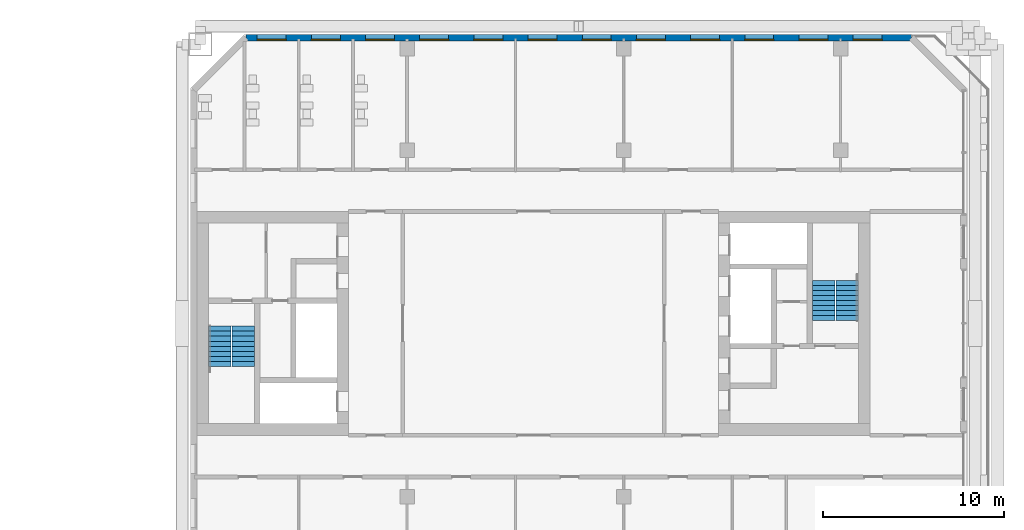
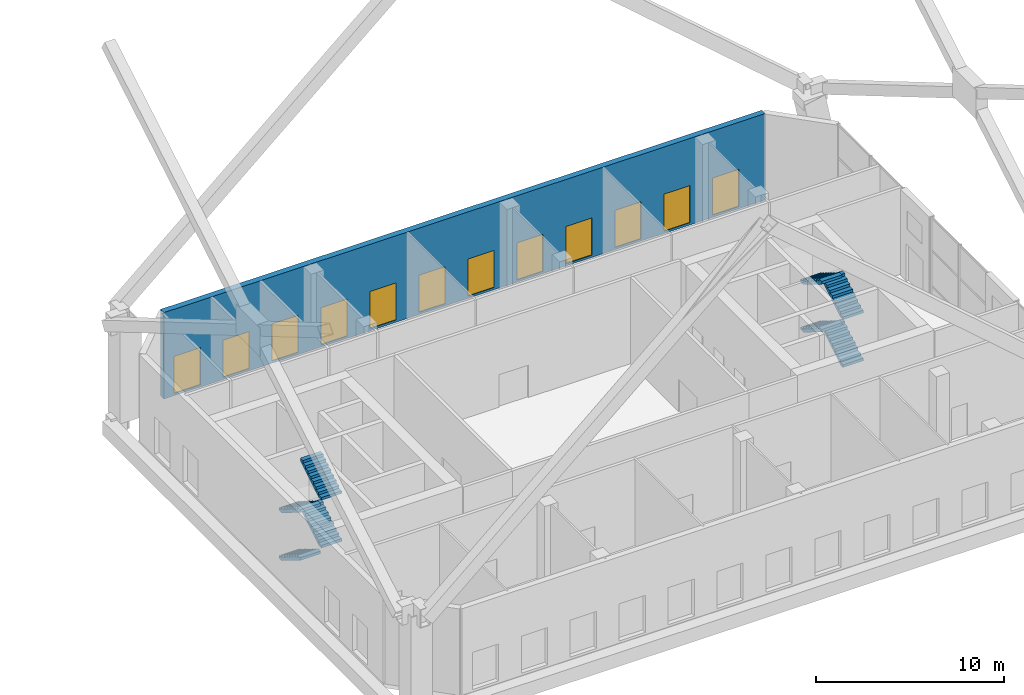
# One storey, part 16 of 20: 12 windows, 8 stair flights, 1 wall, 12 openings, 2 elements without a shape of their own.
"""IFC4 building model written with IfcOpenShell, lengths in metres."""

from ifc_helpers import new_model, si_unit, direction, frame, frame_2d, origin, place, context, subcontext, project, spatial, polyline, rectangle, outline, extrude, material, layer, layer_set, type_object, element, fill, aggregate, save


model = new_model("IFC4")

# Units and contexts
model_context = context("Model", 3, precision=1e-05, world=origin(), true_north=direction((0.0, 1.0)))
body_context = subcontext(model_context, "Body", "Model", "MODEL_VIEW")
ifc_project = project(units=[si_unit("LENGTHUNIT", "METRE"), si_unit("AREAUNIT", "SQUARE_METRE"), si_unit("VOLUMEUNIT", "CUBIC_METRE"), si_unit("PLANEANGLEUNIT", "RADIAN"), si_unit("MASSUNIT", "GRAM", prefix="KILO")], contexts=[model_context])

# Site, building, storey
site_placement = place(None, origin())
site = spatial("IfcSite", under=ifc_project, at=site_placement, CompositionType="ELEMENT")
building_placement = place(site_placement, origin())
building = spatial("IfcBuilding", under=site, at=building_placement, Name="Tuart Gate Housing", CompositionType="ELEMENT")
storey_placement = place(building_placement, frame((0.0, 0.0, 90.199951171875)))
storey = spatial("IfcBuildingStorey", under=building, at=storey_placement, Name="L25", CompositionType="ELEMENT", Elevation=90.199951171875)

# Wall, openings, windows
ifc_material_1 = material(Name="Brick", Category="masonry")
ifc_layer = layer(ifc_material_1, 0.360107421875)
ifc_layer_set = layer_set([ifc_layer], Name="Brick pier and spandrel wall 360")
wall_type = type_object("IfcWallType", Name="Brick pier and spandrel wall 360", PredefinedType="STANDARD", material=ifc_layer_set)
wall_placement = place(storey_placement, frame((170.92529296875, 85.820068359375, 0.0), z_axis=(0.0, 0.0, 1.0), x_axis=(-1.0, 0.0, 0.0)))
wall = element("IfcWall", 1, at=wall_placement, inside=storey, type_object=wall_type, Name="External wall B-N L25", PredefinedType="STANDARD", context=body_context, shape_type="SweptSolid", body=[
    extrude(rectangle(XDim=36.850830078125, YDim=0.360107421875, at=frame_2d((18.42529296875, 0.0))), origin(), (0.0, 0.0, 1.0), 5.60009765625),
])
opening_1_placement = place(wall_placement, frame((1.62548828125, 0.0, 0.14990234375)))
opening_1 = element("IfcOpeningElement", 2, at=opening_1_placement, cuts=wall, Name="Opening W2", PredefinedType="OPENING", context=body_context, shape_type="SweptSolid", body=[
    extrude(rectangle(XDim=1.60009765625, YDim=2.39990234375, at=frame_2d((0.800048828125, 1.199951171875))), frame((0.0, 0.18994140625, 0.0), z_axis=(0.0, -1.0, 0.0), x_axis=(1.0, 0.0, 0.0)), (0.0, 0.0, 1.0), 0.380126953125),
])
opening_2_placement = place(wall_placement, frame((4.62548828125, 0.0, 0.14990234375)))
opening_2 = element("IfcOpeningElement", 3, at=opening_2_placement, cuts=wall, Name="Opening W2", PredefinedType="OPENING", context=body_context, shape_type="SweptSolid", body=[
    extrude(rectangle(XDim=1.60009765625, YDim=2.39990234375, at=frame_2d((0.800048828125, 1.199951171875))), frame((0.0, 0.18994140625, 0.0), z_axis=(0.0, -1.0, 0.0), x_axis=(1.0, 0.0, 0.0)), (0.0, 0.0, 1.0), 0.380126953125),
])
opening_3_placement = place(wall_placement, frame((7.62548828125, 0.0, 0.14990234375)))
opening_3 = element("IfcOpeningElement", 4, at=opening_3_placement, cuts=wall, Name="Opening W2", PredefinedType="OPENING", context=body_context, shape_type="SweptSolid", body=[
    extrude(rectangle(XDim=1.60009765625, YDim=2.39990234375, at=frame_2d((0.800048828125, 1.199951171875))), frame((0.0, 0.18994140625, 0.0), z_axis=(0.0, -1.0, 0.0), x_axis=(1.0, 0.0, 0.0)), (0.0, 0.0, 1.0), 0.380126953125),
])
opening_4_placement = place(wall_placement, frame((10.62548828125, 0.0, 0.14990234375)))
opening_4 = element("IfcOpeningElement", 5, at=opening_4_placement, cuts=wall, Name="Opening W2", PredefinedType="OPENING", context=body_context, shape_type="SweptSolid", body=[
    extrude(rectangle(XDim=1.60009765625, YDim=2.39990234375, at=frame_2d((0.800048828125, 1.199951171875))), frame((0.0, 0.18994140625, 0.0), z_axis=(0.0, -1.0, 0.0), x_axis=(1.0, 0.0, 0.0)), (0.0, 0.0, 1.0), 0.380126953125),
])
opening_5_placement = place(wall_placement, frame((13.62548828125, 0.0, 0.14990234375)))
opening_5 = element("IfcOpeningElement", 6, at=opening_5_placement, cuts=wall, Name="Opening W2", PredefinedType="OPENING", context=body_context, shape_type="SweptSolid", body=[
    extrude(rectangle(XDim=1.60009765625, YDim=2.39990234375, at=frame_2d((0.800048828125, 1.199951171875))), frame((0.0, 0.18994140625, 0.0), z_axis=(0.0, -1.0, 0.0), x_axis=(1.0, 0.0, 0.0)), (0.0, 0.0, 1.0), 0.380126953125),
])
opening_6_placement = place(wall_placement, frame((16.62548828125, 0.0, 0.14990234375)))
opening_6 = element("IfcOpeningElement", 7, at=opening_6_placement, cuts=wall, Name="Opening W2", PredefinedType="OPENING", context=body_context, shape_type="SweptSolid", body=[
    extrude(rectangle(XDim=1.60009765625, YDim=2.39990234375, at=frame_2d((0.800048828125, 1.199951171875))), frame((0.0, 0.18994140625, 0.0), z_axis=(0.0, -1.0, 0.0), x_axis=(1.0, 0.0, 0.0)), (0.0, 0.0, 1.0), 0.380126953125),
])
opening_7_placement = place(wall_placement, frame((19.62548828125, 0.0, 0.14990234375)))
opening_7 = element("IfcOpeningElement", 8, at=opening_7_placement, cuts=wall, Name="Opening W2", PredefinedType="OPENING", context=body_context, shape_type="SweptSolid", body=[
    extrude(rectangle(XDim=1.60009765625, YDim=2.39990234375, at=frame_2d((0.800048828125, 1.199951171875))), frame((0.0, 0.18994140625, 0.0), z_axis=(0.0, -1.0, 0.0), x_axis=(1.0, 0.0, 0.0)), (0.0, 0.0, 1.0), 0.380126953125),
])
opening_8_placement = place(wall_placement, frame((22.62548828125, 0.0, 0.14990234375)))
opening_8 = element("IfcOpeningElement", 9, at=opening_8_placement, cuts=wall, Name="Opening W2", PredefinedType="OPENING", context=body_context, shape_type="SweptSolid", body=[
    extrude(rectangle(XDim=1.60009765625, YDim=2.39990234375, at=frame_2d((0.800048828125, 1.199951171875))), frame((0.0, 0.18994140625, 0.0), z_axis=(0.0, -1.0, 0.0), x_axis=(1.0, 0.0, 0.0)), (0.0, 0.0, 1.0), 0.380126953125),
])
opening_9_placement = place(wall_placement, frame((25.62548828125, 0.0, 0.14990234375)))
opening_9 = element("IfcOpeningElement", 10, at=opening_9_placement, cuts=wall, Name="Opening W2", PredefinedType="OPENING", context=body_context, shape_type="SweptSolid", body=[
    extrude(rectangle(XDim=1.60009765625, YDim=2.39990234375, at=frame_2d((0.800048828125, 1.199951171875))), frame((0.0, 0.18994140625, 0.0), z_axis=(0.0, -1.0, 0.0), x_axis=(1.0, 0.0, 0.0)), (0.0, 0.0, 1.0), 0.380126953125),
])
opening_10_placement = place(wall_placement, frame((28.62548828125, 0.0, 0.14990234375)))
opening_10 = element("IfcOpeningElement", 11, at=opening_10_placement, cuts=wall, Name="Opening W2", PredefinedType="OPENING", context=body_context, shape_type="SweptSolid", body=[
    extrude(rectangle(XDim=1.60009765625, YDim=2.39990234375, at=frame_2d((0.800048828125, 1.199951171875))), frame((0.0, 0.18994140625, 0.0), z_axis=(0.0, -1.0, 0.0), x_axis=(1.0, 0.0, 0.0)), (0.0, 0.0, 1.0), 0.380126953125),
])
opening_11_placement = place(wall_placement, frame((31.62548828125, 0.0, 0.14990234375)))
opening_11 = element("IfcOpeningElement", 12, at=opening_11_placement, cuts=wall, Name="Opening W2", PredefinedType="OPENING", context=body_context, shape_type="SweptSolid", body=[
    extrude(rectangle(XDim=1.60009765625, YDim=2.39990234375, at=frame_2d((0.800048828125, 1.199951171875))), frame((0.0, 0.18994140625, 0.0), z_axis=(0.0, -1.0, 0.0), x_axis=(1.0, 0.0, 0.0)), (0.0, 0.0, 1.0), 0.380126953125),
])
opening_12_placement = place(wall_placement, frame((34.62548828125, 0.0, 0.14990234375)))
opening_12 = element("IfcOpeningElement", 13, at=opening_12_placement, cuts=wall, Name="Opening W2", PredefinedType="OPENING", context=body_context, shape_type="SweptSolid", body=[
    extrude(rectangle(XDim=1.60009765625, YDim=2.39990234375, at=frame_2d((0.800048828125, 1.199951171875))), frame((0.0, 0.18994140625, 0.0), z_axis=(0.0, -1.0, 0.0), x_axis=(1.0, 0.0, 0.0)), (0.0, 0.0, 1.0), 0.380126953125),
])
ifc_material_2 = material(Name="Aluminium frame with clear glass", Category="aluminium")
window_type = type_object("IfcWindowType", Name="Garden lounge window 1600 x 2400", PartitioningType="SINGLE_PANEL", PredefinedType="WINDOW", material=ifc_material_2)
window_1_placement = place(opening_1_placement, origin())
window_1 = element("IfcWindow", 14, at=window_1_placement, inside=storey, type_object=window_type, Name="Window W2", OverallHeight=2.39990234375, OverallWidth=1.60009765625, PartitioningType="SINGLE_PANEL", PredefinedType="WINDOW", context=body_context, shape_type="SweptSolid", body=[
    extrude(rectangle(XDim=1.60009765625, YDim=2.39990234375, at=frame_2d((0.800048828125, 1.199951171875))), frame((0.0, 0.150146484375, 0.0), z_axis=(0.0, -1.0, 0.0), x_axis=(1.0, 0.0, 0.0)), (0.0, 0.0, 1.0), 0.06005859375),
])
fill(opening_1, window_1)
window_2_placement = place(opening_2_placement, origin())
window_2 = element("IfcWindow", 15, at=window_2_placement, inside=storey, type_object=window_type, Name="Window W2", OverallHeight=2.39990234375, OverallWidth=1.60009765625, PartitioningType="SINGLE_PANEL", PredefinedType="WINDOW", context=body_context, shape_type="SweptSolid", body=[
    extrude(rectangle(XDim=1.60009765625, YDim=2.39990234375, at=frame_2d((0.800048828125, 1.199951171875))), frame((0.0, 0.150146484375, 0.0), z_axis=(0.0, -1.0, 0.0), x_axis=(1.0, 0.0, 0.0)), (0.0, 0.0, 1.0), 0.06005859375),
])
fill(opening_2, window_2)
window_3_placement = place(opening_3_placement, origin())
window_3 = element("IfcWindow", 16, at=window_3_placement, inside=storey, type_object=window_type, Name="Window W2", OverallHeight=2.39990234375, OverallWidth=1.60009765625, PartitioningType="SINGLE_PANEL", PredefinedType="WINDOW", context=body_context, shape_type="SweptSolid", body=[
    extrude(rectangle(XDim=1.60009765625, YDim=2.39990234375, at=frame_2d((0.800048828125, 1.199951171875))), frame((0.0, 0.150146484375, 0.0), z_axis=(0.0, -1.0, 0.0), x_axis=(1.0, 0.0, 0.0)), (0.0, 0.0, 1.0), 0.06005859375),
])
fill(opening_3, window_3)
window_4_placement = place(opening_4_placement, origin())
window_4 = element("IfcWindow", 17, at=window_4_placement, inside=storey, type_object=window_type, Name="Window W2", OverallHeight=2.39990234375, OverallWidth=1.60009765625, PartitioningType="SINGLE_PANEL", PredefinedType="WINDOW", context=body_context, shape_type="SweptSolid", body=[
    extrude(rectangle(XDim=1.60009765625, YDim=2.39990234375, at=frame_2d((0.800048828125, 1.199951171875))), frame((0.0, 0.150146484375, 0.0), z_axis=(0.0, -1.0, 0.0), x_axis=(1.0, 0.0, 0.0)), (0.0, 0.0, 1.0), 0.06005859375),
])
fill(opening_4, window_4)
window_5_placement = place(opening_5_placement, origin())
window_5 = element("IfcWindow", 18, at=window_5_placement, inside=storey, type_object=window_type, Name="Window W2", OverallHeight=2.39990234375, OverallWidth=1.60009765625, PartitioningType="SINGLE_PANEL", PredefinedType="WINDOW", context=body_context, shape_type="SweptSolid", body=[
    extrude(rectangle(XDim=1.60009765625, YDim=2.39990234375, at=frame_2d((0.800048828125, 1.199951171875))), frame((0.0, 0.150146484375, 0.0), z_axis=(0.0, -1.0, 0.0), x_axis=(1.0, 0.0, 0.0)), (0.0, 0.0, 1.0), 0.06005859375),
])
fill(opening_5, window_5)
window_6_placement = place(opening_6_placement, origin())
window_6 = element("IfcWindow", 19, at=window_6_placement, inside=storey, type_object=window_type, Name="Window W2", OverallHeight=2.39990234375, OverallWidth=1.60009765625, PartitioningType="SINGLE_PANEL", PredefinedType="WINDOW", context=body_context, shape_type="SweptSolid", body=[
    extrude(rectangle(XDim=1.60009765625, YDim=2.39990234375, at=frame_2d((0.800048828125, 1.199951171875))), frame((0.0, 0.150146484375, 0.0), z_axis=(0.0, -1.0, 0.0), x_axis=(1.0, 0.0, 0.0)), (0.0, 0.0, 1.0), 0.06005859375),
])
fill(opening_6, window_6)
window_7_placement = place(opening_7_placement, origin())
window_7 = element("IfcWindow", 20, at=window_7_placement, inside=storey, type_object=window_type, Name="Window W2", OverallHeight=2.39990234375, OverallWidth=1.60009765625, PartitioningType="SINGLE_PANEL", PredefinedType="WINDOW", context=body_context, shape_type="SweptSolid", body=[
    extrude(rectangle(XDim=1.60009765625, YDim=2.39990234375, at=frame_2d((0.800048828125, 1.199951171875))), frame((0.0, 0.150146484375, 0.0), z_axis=(0.0, -1.0, 0.0), x_axis=(1.0, 0.0, 0.0)), (0.0, 0.0, 1.0), 0.06005859375),
])
fill(opening_7, window_7)
window_8_placement = place(opening_8_placement, origin())
window_8 = element("IfcWindow", 21, at=window_8_placement, inside=storey, type_object=window_type, Name="Window W2", OverallHeight=2.39990234375, OverallWidth=1.60009765625, PartitioningType="SINGLE_PANEL", PredefinedType="WINDOW", context=body_context, shape_type="SweptSolid", body=[
    extrude(rectangle(XDim=1.60009765625, YDim=2.39990234375, at=frame_2d((0.800048828125, 1.199951171875))), frame((0.0, 0.150146484375, 0.0), z_axis=(0.0, -1.0, 0.0), x_axis=(1.0, 0.0, 0.0)), (0.0, 0.0, 1.0), 0.06005859375),
])
fill(opening_8, window_8)
window_9_placement = place(opening_9_placement, origin())
window_9 = element("IfcWindow", 22, at=window_9_placement, inside=storey, type_object=window_type, Name="Window W2", OverallHeight=2.39990234375, OverallWidth=1.60009765625, PartitioningType="SINGLE_PANEL", PredefinedType="WINDOW", context=body_context, shape_type="SweptSolid", body=[
    extrude(rectangle(XDim=1.60009765625, YDim=2.39990234375, at=frame_2d((0.800048828125, 1.199951171875))), frame((0.0, 0.150146484375, 0.0), z_axis=(0.0, -1.0, 0.0), x_axis=(1.0, 0.0, 0.0)), (0.0, 0.0, 1.0), 0.06005859375),
])
fill(opening_9, window_9)
window_10_placement = place(opening_10_placement, origin())
window_10 = element("IfcWindow", 23, at=window_10_placement, inside=storey, type_object=window_type, Name="Window W2", OverallHeight=2.39990234375, OverallWidth=1.60009765625, PartitioningType="SINGLE_PANEL", PredefinedType="WINDOW", context=body_context, shape_type="SweptSolid", body=[
    extrude(rectangle(XDim=1.60009765625, YDim=2.39990234375, at=frame_2d((0.800048828125, 1.199951171875))), frame((0.0, 0.150146484375, 0.0), z_axis=(0.0, -1.0, 0.0), x_axis=(1.0, 0.0, 0.0)), (0.0, 0.0, 1.0), 0.06005859375),
])
fill(opening_10, window_10)
window_11_placement = place(opening_11_placement, origin())
window_11 = element("IfcWindow", 24, at=window_11_placement, inside=storey, type_object=window_type, Name="Window W2", OverallHeight=2.39990234375, OverallWidth=1.60009765625, PartitioningType="SINGLE_PANEL", PredefinedType="WINDOW", context=body_context, shape_type="SweptSolid", body=[
    extrude(rectangle(XDim=1.60009765625, YDim=2.39990234375, at=frame_2d((0.800048828125, 1.199951171875))), frame((0.0, 0.150146484375, 0.0), z_axis=(0.0, -1.0, 0.0), x_axis=(1.0, 0.0, 0.0)), (0.0, 0.0, 1.0), 0.06005859375),
])
fill(opening_11, window_11)
window_12_placement = place(opening_12_placement, origin())
window_12 = element("IfcWindow", 25, at=window_12_placement, inside=storey, type_object=window_type, Name="Window W2", OverallHeight=2.39990234375, OverallWidth=1.60009765625, PartitioningType="SINGLE_PANEL", PredefinedType="WINDOW", context=body_context, shape_type="SweptSolid", body=[
    extrude(rectangle(XDim=1.60009765625, YDim=2.39990234375, at=frame_2d((0.800048828125, 1.199951171875))), frame((0.0, 0.150146484375, 0.0), z_axis=(0.0, -1.0, 0.0), x_axis=(1.0, 0.0, 0.0)), (0.0, 0.0, 1.0), 0.06005859375),
])
fill(opening_12, window_12)

# Stair, stair flights
ifc_material_3 = material(Name="Concrete C40", Category="concrete")
stair_type = type_object("IfcStairType", Name="Core stair 1250", PredefinedType="HALF_TURN_STAIR", material=ifc_material_3)
stair_1_placement = place(storey_placement, origin())
stair_1 = element("IfcStair", 26, at=stair_1_placement, inside=storey, type_object=stair_type, Name="Stair SB1", PredefinedType="HALF_TURN_STAIR")
ifc_material_4 = material(Name="Concrete C40", Category="concrete")
stair_flight_type = type_object("IfcStairFlightType", Name="Stair flight 1250, 9 risers 172 x 280", PredefinedType="STRAIGHT", material=ifc_material_4)
stair_flight_1_placement = place(storey_placement, frame((132.635009765625, 69.85009765625, 0.0), z_axis=(0.0, 0.0, 1.0), x_axis=(0.0, -1.0, 0.0)))
stair_flight_1 = element("IfcStairFlight", 27, at=stair_flight_1_placement, type_object=stair_flight_type, Name="SB1 flight 1", NumberOfRisers=9, NumberOfTreads=8, PredefinedType="STRAIGHT", RiserHeight=0.172222222, TreadLength=0.28, context=body_context, shape_type="SweptSolid", body=[
    extrude(outline(polyline([(0.0, 0.0), (0.0, 0.172119140625), (0.280029296875, 0.172119140625), (0.280029296875, 0.344482421875), (0.56005859375, 0.344482421875), (0.56005859375, 0.5166015625), (0.840087890625, 0.5166015625), (0.840087890625, 0.68896484375), (1.1201171875, 0.68896484375), (1.1201171875, 0.861083984375), (1.39990234375, 0.861083984375), (1.39990234375, 1.033447265625), (1.679931640625, 1.033447265625), (1.679931640625, 1.20556640625), (1.9599609375, 1.20556640625), (1.9599609375, 1.377685546875), (2.239990234375, 1.377685546875), (2.239990234375, 1.550048828125), (2.239990234375, 1.201904296875), (0.2861328125, 0.0), (0.0, 0.0)])), frame((0.0, 0.625, 0.0), z_axis=(0.0, -1.0, 0.0), x_axis=(1.0, 0.0, 0.0)), (0.0, 0.0, 1.0), 1.25),
])
stair_flight_2_placement = place(storey_placement, frame((133.93505859375, 67.610107421875, 1.550048828125), z_axis=(0.0, 0.0, 1.0), x_axis=(0.0, 1.0, 0.0)))
stair_flight_2 = element("IfcStairFlight", 28, at=stair_flight_2_placement, type_object=stair_flight_type, Name="SB1 flight 2", NumberOfRisers=9, NumberOfTreads=8, PredefinedType="STRAIGHT", RiserHeight=0.172222222, TreadLength=0.28, context=body_context, shape_type="SweptSolid", body=[
    extrude(outline(polyline([(0.0, 0.0), (0.0, 0.172119140625), (0.280029296875, 0.172119140625), (0.280029296875, 0.344482421875), (0.56005859375, 0.344482421875), (0.56005859375, 0.5166015625), (0.840087890625, 0.5166015625), (0.840087890625, 0.68896484375), (1.1201171875, 0.68896484375), (1.1201171875, 0.861083984375), (1.39990234375, 0.861083984375), (1.39990234375, 1.033447265625), (1.679931640625, 1.033447265625), (1.679931640625, 1.20556640625), (1.9599609375, 1.20556640625), (1.9599609375, 1.377685546875), (2.239990234375, 1.377685546875), (2.239990234375, 1.550048828125), (2.239990234375, 1.201904296875), (0.2861328125, 0.0), (0.0, 0.0)])), frame((0.0, 0.625, 0.0), z_axis=(0.0, -1.0, 0.0), x_axis=(1.0, 0.0, 0.0)), (0.0, 0.0, 1.0), 1.25),
])
stair_flight_3_placement = place(storey_placement, frame((132.635009765625, 69.85009765625, 3.10009765625), z_axis=(0.0, 0.0, 1.0), x_axis=(0.0, -1.0, 0.0)))
stair_flight_3 = element("IfcStairFlight", 29, at=stair_flight_3_placement, type_object=stair_flight_type, Name="SB1 flight 3", NumberOfRisers=9, NumberOfTreads=8, PredefinedType="STRAIGHT", RiserHeight=0.172222222, TreadLength=0.28, context=body_context, shape_type="SweptSolid", body=[
    extrude(outline(polyline([(0.0, 0.0), (0.0, 0.172119140625), (0.280029296875, 0.172119140625), (0.280029296875, 0.344482421875), (0.56005859375, 0.344482421875), (0.56005859375, 0.5166015625), (0.840087890625, 0.5166015625), (0.840087890625, 0.68896484375), (1.1201171875, 0.68896484375), (1.1201171875, 0.861083984375), (1.39990234375, 0.861083984375), (1.39990234375, 1.033447265625), (1.679931640625, 1.033447265625), (1.679931640625, 1.20556640625), (1.9599609375, 1.20556640625), (1.9599609375, 1.377685546875), (2.239990234375, 1.377685546875), (2.239990234375, 1.550048828125), (2.239990234375, 1.201904296875), (0.2861328125, 0.0), (0.0, 0.0)])), frame((0.0, 0.625, 0.0), z_axis=(0.0, -1.0, 0.0), x_axis=(1.0, 0.0, 0.0)), (0.0, 0.0, 1.0), 1.25),
])
stair_flight_4_placement = place(storey_placement, frame((133.93505859375, 67.610107421875, 4.650146484375), z_axis=(0.0, 0.0, 1.0), x_axis=(0.0, 1.0, 0.0)))
stair_flight_4 = element("IfcStairFlight", 30, at=stair_flight_4_placement, type_object=stair_flight_type, Name="SB1 flight 4", NumberOfRisers=9, NumberOfTreads=8, PredefinedType="STRAIGHT", RiserHeight=0.172222222, TreadLength=0.28, context=body_context, shape_type="SweptSolid", body=[
    extrude(outline(polyline([(0.0, 0.0), (0.0, 0.172119140625), (0.280029296875, 0.172119140625), (0.280029296875, 0.344482421875), (0.56005859375, 0.344482421875), (0.56005859375, 0.5166015625), (0.840087890625, 0.5166015625), (0.840087890625, 0.68896484375), (1.1201171875, 0.68896484375), (1.1201171875, 0.861083984375), (1.39990234375, 0.861083984375), (1.39990234375, 1.033447265625), (1.679931640625, 1.033447265625), (1.679931640625, 1.20556640625), (1.9599609375, 1.20556640625), (1.9599609375, 1.377685546875), (2.239990234375, 1.377685546875), (2.239990234375, 1.550048828125), (2.239990234375, 1.201904296875), (0.2861328125, 0.0), (0.0, 0.0)])), frame((0.0, 0.625, 0.0), z_axis=(0.0, -1.0, 0.0), x_axis=(1.0, 0.0, 0.0)), (0.0, 0.0, 1.0), 1.25),
])
aggregate(stair_1, [stair_flight_1, stair_flight_2, stair_flight_3, stair_flight_4])

stair_2_placement = place(storey_placement, origin())
stair_2 = element("IfcStair", 31, at=stair_2_placement, inside=storey, type_object=stair_type, Name="Stair SB2", PredefinedType="HALF_TURN_STAIR")
stair_flight_5_placement = place(storey_placement, frame((167.364990234375, 70.14990234375, 0.0), z_axis=(0.0, 0.0, 1.0), x_axis=(0.0, 1.0, 0.0)))
stair_flight_5 = element("IfcStairFlight", 32, at=stair_flight_5_placement, type_object=stair_flight_type, Name="SB2 flight 1", NumberOfRisers=9, NumberOfTreads=8, PredefinedType="STRAIGHT", RiserHeight=0.172222222, TreadLength=0.28, context=body_context, shape_type="SweptSolid", body=[
    extrude(outline(polyline([(0.0, 0.0), (0.0, 0.172119140625), (0.280029296875, 0.172119140625), (0.280029296875, 0.344482421875), (0.56005859375, 0.344482421875), (0.56005859375, 0.5166015625), (0.840087890625, 0.5166015625), (0.840087890625, 0.68896484375), (1.1201171875, 0.68896484375), (1.1201171875, 0.861083984375), (1.39990234375, 0.861083984375), (1.39990234375, 1.033447265625), (1.679931640625, 1.033447265625), (1.679931640625, 1.20556640625), (1.9599609375, 1.20556640625), (1.9599609375, 1.377685546875), (2.239990234375, 1.377685546875), (2.239990234375, 1.550048828125), (2.239990234375, 1.201904296875), (0.2861328125, 0.0), (0.0, 0.0)])), frame((0.0, 0.625, 0.0), z_axis=(0.0, -1.0, 0.0), x_axis=(1.0, 0.0, 0.0)), (0.0, 0.0, 1.0), 1.25),
])
stair_flight_6_placement = place(storey_placement, frame((166.06494140625, 72.389892578125, 1.550048828125), z_axis=(0.0, 0.0, 1.0), x_axis=(0.0, -1.0, 0.0)))
stair_flight_6 = element("IfcStairFlight", 33, at=stair_flight_6_placement, type_object=stair_flight_type, Name="SB2 flight 2", NumberOfRisers=9, NumberOfTreads=8, PredefinedType="STRAIGHT", RiserHeight=0.172222222, TreadLength=0.28, context=body_context, shape_type="SweptSolid", body=[
    extrude(outline(polyline([(0.0, 0.0), (0.0, 0.172119140625), (0.280029296875, 0.172119140625), (0.280029296875, 0.344482421875), (0.56005859375, 0.344482421875), (0.56005859375, 0.5166015625), (0.840087890625, 0.5166015625), (0.840087890625, 0.68896484375), (1.1201171875, 0.68896484375), (1.1201171875, 0.861083984375), (1.39990234375, 0.861083984375), (1.39990234375, 1.033447265625), (1.679931640625, 1.033447265625), (1.679931640625, 1.20556640625), (1.9599609375, 1.20556640625), (1.9599609375, 1.377685546875), (2.239990234375, 1.377685546875), (2.239990234375, 1.550048828125), (2.239990234375, 1.201904296875), (0.2861328125, 0.0), (0.0, 0.0)])), frame((0.0, 0.625, 0.0), z_axis=(0.0, -1.0, 0.0), x_axis=(1.0, 0.0, 0.0)), (0.0, 0.0, 1.0), 1.25),
])
stair_flight_7_placement = place(storey_placement, frame((167.364990234375, 70.14990234375, 3.10009765625), z_axis=(0.0, 0.0, 1.0), x_axis=(0.0, 1.0, 0.0)))
stair_flight_7 = element("IfcStairFlight", 34, at=stair_flight_7_placement, type_object=stair_flight_type, Name="SB2 flight 3", NumberOfRisers=9, NumberOfTreads=8, PredefinedType="STRAIGHT", RiserHeight=0.172222222, TreadLength=0.28, context=body_context, shape_type="SweptSolid", body=[
    extrude(outline(polyline([(0.0, 0.0), (0.0, 0.172119140625), (0.280029296875, 0.172119140625), (0.280029296875, 0.344482421875), (0.56005859375, 0.344482421875), (0.56005859375, 0.5166015625), (0.840087890625, 0.5166015625), (0.840087890625, 0.68896484375), (1.1201171875, 0.68896484375), (1.1201171875, 0.861083984375), (1.39990234375, 0.861083984375), (1.39990234375, 1.033447265625), (1.679931640625, 1.033447265625), (1.679931640625, 1.20556640625), (1.9599609375, 1.20556640625), (1.9599609375, 1.377685546875), (2.239990234375, 1.377685546875), (2.239990234375, 1.550048828125), (2.239990234375, 1.201904296875), (0.2861328125, 0.0), (0.0, 0.0)])), frame((0.0, 0.625, 0.0), z_axis=(0.0, -1.0, 0.0), x_axis=(1.0, 0.0, 0.0)), (0.0, 0.0, 1.0), 1.25),
])
stair_flight_8_placement = place(storey_placement, frame((166.06494140625, 72.389892578125, 4.650146484375), z_axis=(0.0, 0.0, 1.0), x_axis=(0.0, -1.0, 0.0)))
stair_flight_8 = element("IfcStairFlight", 35, at=stair_flight_8_placement, type_object=stair_flight_type, Name="SB2 flight 4", NumberOfRisers=9, NumberOfTreads=8, PredefinedType="STRAIGHT", RiserHeight=0.172222222, TreadLength=0.28, context=body_context, shape_type="SweptSolid", body=[
    extrude(outline(polyline([(0.0, 0.0), (0.0, 0.172119140625), (0.280029296875, 0.172119140625), (0.280029296875, 0.344482421875), (0.56005859375, 0.344482421875), (0.56005859375, 0.5166015625), (0.840087890625, 0.5166015625), (0.840087890625, 0.68896484375), (1.1201171875, 0.68896484375), (1.1201171875, 0.861083984375), (1.39990234375, 0.861083984375), (1.39990234375, 1.033447265625), (1.679931640625, 1.033447265625), (1.679931640625, 1.20556640625), (1.9599609375, 1.20556640625), (1.9599609375, 1.377685546875), (2.239990234375, 1.377685546875), (2.239990234375, 1.550048828125), (2.239990234375, 1.201904296875), (0.2861328125, 0.0), (0.0, 0.0)])), frame((0.0, 0.625, 0.0), z_axis=(0.0, -1.0, 0.0), x_axis=(1.0, 0.0, 0.0)), (0.0, 0.0, 1.0), 1.25),
])
aggregate(stair_2, [stair_flight_5, stair_flight_6, stair_flight_7, stair_flight_8])

save(model, "model.ifc")
